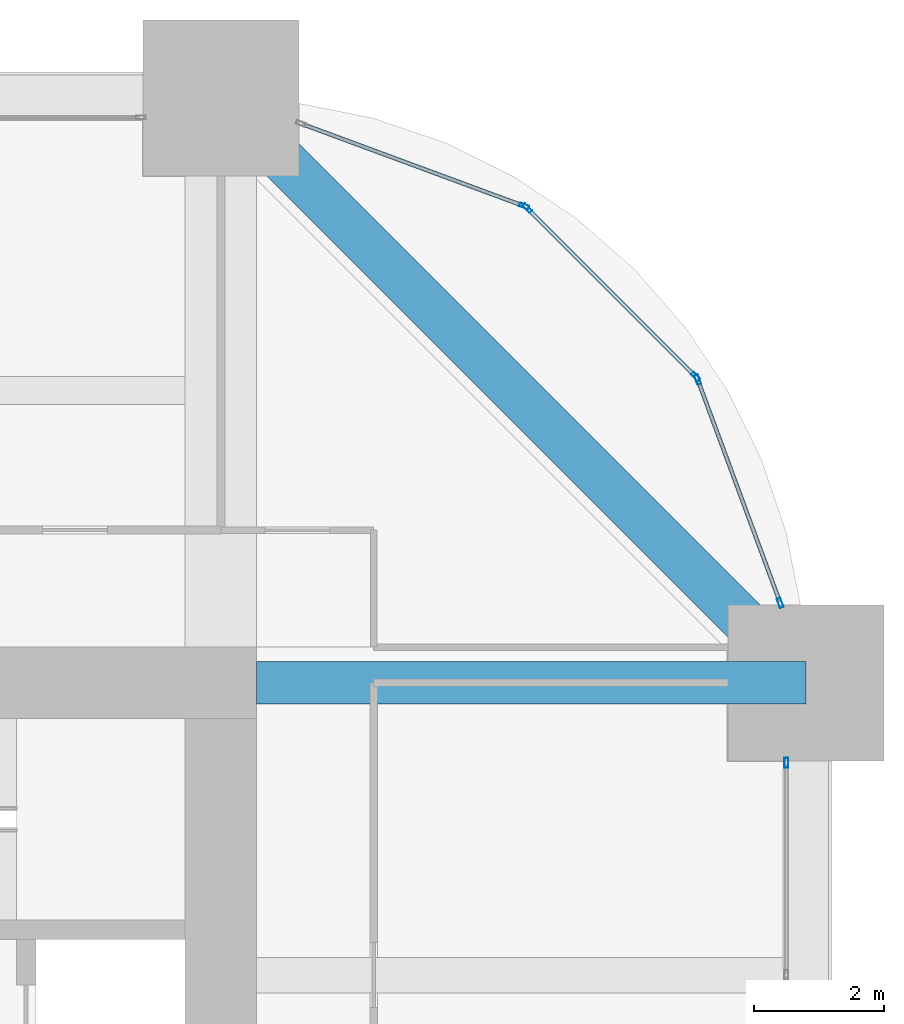
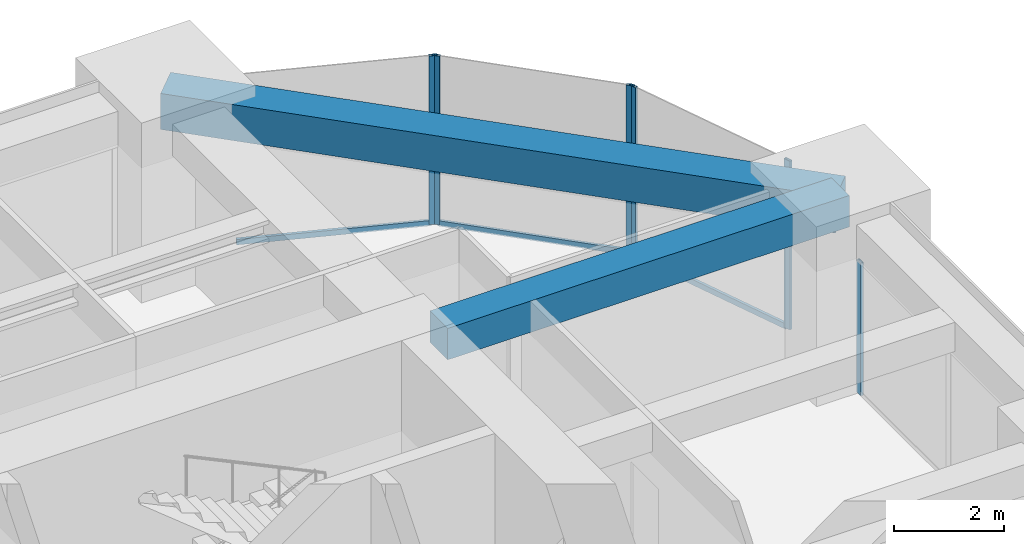
# One storey, part 27 of 33: 9 members, 2 beams, 4 elements without a shape of their own.
"""IFC4 building model written with IfcOpenShell, lengths in metres."""

from ifc_helpers import new_model, si_unit, direction, frame, origin, origin_2d, place, context, subcontext, project, spatial, rectangle, hollow_rectangle, extrude, material, material_profile, profile_set, type_object, element, aggregate, save


model = new_model("IFC4")

# Units and contexts
model_context = context("Model", 3, precision=1e-05, world=origin(), true_north=direction((0.0, 1.0)))
body_context = subcontext(model_context, "Body", "Model", "MODEL_VIEW")
ifc_project = project(units=[si_unit("LENGTHUNIT", "METRE"), si_unit("AREAUNIT", "SQUARE_METRE"), si_unit("VOLUMEUNIT", "CUBIC_METRE"), si_unit("PLANEANGLEUNIT", "RADIAN"), si_unit("MASSUNIT", "GRAM", prefix="KILO")], contexts=[model_context])

# Site, building, storey
site_placement = place(None, origin())
site = spatial("IfcSite", under=ifc_project, at=site_placement, CompositionType="ELEMENT")
building_placement = place(site_placement, origin())
building = spatial("IfcBuilding", under=site, at=building_placement, Name="Zorevar Civic Tower", CompositionType="ELEMENT")
storey_placement = place(building_placement, frame((0.0, 0.0, 194.199951171875)))
storey = spatial("IfcBuildingStorey", under=building, at=storey_placement, Name="L47", CompositionType="ELEMENT", Elevation=194.199951171875)

# Beam
ifc_material_1 = material(Name="Concrete C50/60", Category="concrete")
ifc_material_profile_1 = material_profile(ifc_material_1, rectangle(XDim=0.64990234375, YDim=0.699951171875, at=origin_2d()), Name="RC 650x700")
ifc_profile_set_1 = profile_set([ifc_material_profile_1], Name="Concrete C50/60")
beam_type_1 = type_object("IfcBeamType", Name="Beam RC 650x700", PredefinedType="BEAM", material=ifc_profile_set_1)
beam_1_placement = place(storey_placement, frame((45.550048828125, 36.0, 3.400146484375), z_axis=(1.0, 0.0, 0.0), x_axis=(0.0, 1.0, 0.0)))
element("IfcBeam", 1, at=beam_1_placement, inside=storey, type_object=beam_type_1, Name="Girder L48", PredefinedType="BEAM", context=body_context, shape_type="SweptSolid", body=[
    extrude(rectangle(XDim=0.64990234375, YDim=0.699951171875, at=origin_2d()), origin(), (0.0, 0.0, 1.0), 8.449951171875),
])

# Curtain wall, member
ifc_material_2 = material(Name="Dark grey solar-control glass in black aluminium frame", Category="aluminium")
curtain_wall_type = type_object("IfcCurtainWallType", Name="Curtain wall CW4 high zone", PredefinedType="NOTDEFINED", material=ifc_material_2)
curtain_wall_1_placement = place(storey_placement, origin())
curtain_wall_1 = element("IfcCurtainWall", 2, at=curtain_wall_1_placement, inside=storey, type_object=curtain_wall_type, Name="CW4 L47", PredefinedType="NOTDEFINED")
ifc_material_3 = material(Name="Aluminium, black anodised", Category="aluminium")
ifc_material_profile_2 = material_profile(ifc_material_3, hollow_rectangle(XDim=0.06005859375, YDim=0.14990234375, WallThickness=0.00390625, at=origin_2d()), Name="AL 150x60x4")
ifc_profile_set_2 = profile_set([ifc_material_profile_2], Name="Aluminium, black anodised")
member_type_1 = type_object("IfcMemberType", Name="CW4 mullion AL 150x60x4", PredefinedType="MULLION", material=ifc_profile_set_2)
member_1_placement = place(storey_placement, frame((53.699951171875, 34.77001953125, 0.0), z_axis=(0.0, 0.0, 1.0), x_axis=(-1.0, 0.0, 0.0)))
member_1 = element("IfcMember", 3, at=member_1_placement, type_object=member_type_1, Name="CW4 mullion 3", PredefinedType="MULLION", context=body_context, shape_type="SweptSolid", body=[
    extrude(hollow_rectangle(XDim=0.06005859375, YDim=0.14990234375, WallThickness=0.00390625, at=origin_2d()), origin(), (0.0, 0.0, 1.0), 2.949951171875),
])
aggregate(curtain_wall_1, [member_1])

# Curtain wall, members
curtain_wall_2_placement = place(storey_placement, origin())
curtain_wall_2 = element("IfcCurtainWall", 4, at=curtain_wall_2_placement, inside=storey, type_object=curtain_wall_type, Name="CW4 L47", PredefinedType="NOTDEFINED")
member_2_placement = place(storey_placement, frame((53.6064453125, 37.22802734375, 0.0), z_axis=(0.0, 0.0, 1.0), x_axis=(-0.937974588163, -0.346704012033, 0.0)))
member_2 = element("IfcMember", 5, at=member_2_placement, type_object=member_type_1, Name="CW4 mullion 1", PredefinedType="MULLION", context=body_context, shape_type="SweptSolid", body=[
    extrude(hollow_rectangle(XDim=0.06005859375, YDim=0.14990234375, WallThickness=0.00390625, at=origin_2d()), origin(), (0.0, 0.0, 1.0), 3.75),
])
member_3_placement = place(storey_placement, frame((52.336181640625, 40.66455078125, 0.0), z_axis=(0.0, 0.0, 1.0), x_axis=(-0.937974588163, -0.346704012033, 0.0)))
member_3 = element("IfcMember", 6, at=member_3_placement, type_object=member_type_1, Name="CW4 mullion 2", PredefinedType="MULLION", context=body_context, shape_type="SweptSolid", body=[
    extrude(hollow_rectangle(XDim=0.06005859375, YDim=0.14990234375, WallThickness=0.00390625, at=origin_2d()), origin(), (0.0, 0.0, 1.0), 3.75),
])

curtain_wall_3_placement = place(storey_placement, origin())
curtain_wall_3 = element("IfcCurtainWall", 7, at=curtain_wall_3_placement, inside=storey, type_object=curtain_wall_type, Name="CW4 L47", PredefinedType="NOTDEFINED")
member_4_placement = place(storey_placement, frame((52.3046875, 40.7138671875, 0.0), z_axis=(0.0, 0.0, 1.0), x_axis=(-0.707106781187, -0.707106781187, 0.0)))
member_4 = element("IfcMember", 8, at=member_4_placement, type_object=member_type_1, Name="CW4 mullion 1", PredefinedType="MULLION", context=body_context, shape_type="SweptSolid", body=[
    extrude(hollow_rectangle(XDim=0.06005859375, YDim=0.14990234375, WallThickness=0.00390625, at=origin_2d()), origin(), (0.0, 0.0, 1.0), 3.75),
])
member_5_placement = place(storey_placement, frame((49.7138671875, 43.3046875, 0.0), z_axis=(0.0, 0.0, 1.0), x_axis=(-0.707106781187, -0.707106781187, 0.0)))
member_5 = element("IfcMember", 9, at=member_5_placement, type_object=member_type_1, Name="CW4 mullion 2", PredefinedType="MULLION", context=body_context, shape_type="SweptSolid", body=[
    extrude(hollow_rectangle(XDim=0.06005859375, YDim=0.14990234375, WallThickness=0.00390625, at=origin_2d()), origin(), (0.0, 0.0, 1.0), 3.75),
])

# Curtain wall, member
curtain_wall_4_placement = place(storey_placement, origin())
curtain_wall_4 = element("IfcCurtainWall", 10, at=curtain_wall_4_placement, inside=storey, type_object=curtain_wall_type, Name="CW4 L47", PredefinedType="NOTDEFINED")
member_6_placement = place(storey_placement, frame((49.66455078125, 43.336181640625, 0.0), z_axis=(0.0, 0.0, 1.0), x_axis=(-0.346704012033, -0.937974588163, 0.0)))
member_6 = element("IfcMember", 11, at=member_6_placement, type_object=member_type_1, Name="CW4 mullion 1", PredefinedType="MULLION", context=body_context, shape_type="SweptSolid", body=[
    extrude(hollow_rectangle(XDim=0.06005859375, YDim=0.14990234375, WallThickness=0.00390625, at=origin_2d()), origin(), (0.0, 0.0, 1.0), 3.75),
])

# Member
ifc_material_4 = material(Name="Aluminium, black anodised", Category="aluminium")
ifc_material_profile_3 = material_profile(ifc_material_4, hollow_rectangle(XDim=0.06005859375, YDim=0.1201171875, WallThickness=0.0029296875, at=origin_2d()), Name="AL 120x60x3")
ifc_profile_set_3 = profile_set([ifc_material_profile_3], Name="Aluminium, black anodised")
member_type_2 = type_object("IfcMemberType", Name="CW4 transom AL 120x60x3", PredefinedType="USERDEFINED", material=ifc_profile_set_3)
member_7_placement = place(storey_placement, frame((53.595947265625, 37.25634765625, 0.030029296875), z_axis=(-0.346672169799, 0.93798635741, 0.0), x_axis=(-0.93798635741, -0.346672169799, 0.0)))
member_7 = element("IfcMember", 12, at=member_7_placement, type_object=member_type_2, Name="CW4 sill transom", ObjectType="TRANSOM", PredefinedType="USERDEFINED", context=body_context, shape_type="SweptSolid", body=[
    extrude(hollow_rectangle(XDim=0.06005859375, YDim=0.1201171875, WallThickness=0.0029296875, at=origin_2d()), origin(), (0.0, 0.0, 1.0), 3.603515625),
])

aggregate(curtain_wall_2, [member_2, member_3, member_7])

member_8_placement = place(storey_placement, frame((52.283447265625, 40.735107421875, 0.030029296875), z_axis=(-0.707106781187, 0.707106781187, 0.0), x_axis=(-0.707106781187, -0.707106781187, 0.0)))
member_8 = element("IfcMember", 13, at=member_8_placement, type_object=member_type_2, Name="CW4 sill transom", ObjectType="TRANSOM", PredefinedType="USERDEFINED", context=body_context, shape_type="SweptSolid", body=[
    extrude(hollow_rectangle(XDim=0.06005859375, YDim=0.1201171875, WallThickness=0.0029296875, at=origin_2d()), origin(), (0.0, 0.0, 1.0), 3.60400390625),
])

aggregate(curtain_wall_3, [member_4, member_5, member_8])

member_9_placement = place(storey_placement, frame((49.636474609375, 43.3466796875, 0.030029296875), z_axis=(-0.93798635741, 0.346672169799, 0.0), x_axis=(-0.346672169799, -0.93798635741, 0.0)))
member_9 = element("IfcMember", 14, at=member_9_placement, type_object=member_type_2, Name="CW4 sill transom", ObjectType="TRANSOM", PredefinedType="USERDEFINED", context=body_context, shape_type="SweptSolid", body=[
    extrude(hollow_rectangle(XDim=0.06005859375, YDim=0.1201171875, WallThickness=0.0029296875, at=origin_2d()), origin(), (0.0, 0.0, 1.0), 3.603515625),
])

aggregate(curtain_wall_4, [member_6, member_9])

# Beam
ifc_material_5 = material(Name="Concrete C50/60", Category="concrete")
ifc_material_profile_4 = material_profile(ifc_material_5, rectangle(XDim=0.699951171875, YDim=0.800048828125, at=origin_2d()), Name="RC 700x800")
ifc_profile_set_4 = profile_set([ifc_material_profile_4], Name="Concrete C50/60")
beam_type_2 = type_object("IfcBeamType", Name="Edge beam RC 700x800", PredefinedType="SPANDREL", material=ifc_profile_set_4)
beam_2_placement = place(storey_placement, frame((54.0, 36.0, 3.35009765625), z_axis=(-0.707106781187, 0.707106781187, 0.0), x_axis=(-0.707106781187, -0.707106781187, 0.0)))
element("IfcBeam", 15, at=beam_2_placement, inside=storey, type_object=beam_type_2, Name="Corner edge beam L48", PredefinedType="SPANDREL", context=body_context, shape_type="SweptSolid", body=[
    extrude(rectangle(XDim=0.699951171875, YDim=0.800048828125, at=origin_2d()), origin(), (0.0, 0.0, 1.0), 12.72802734375),
])

save(model, "model.ifc")
